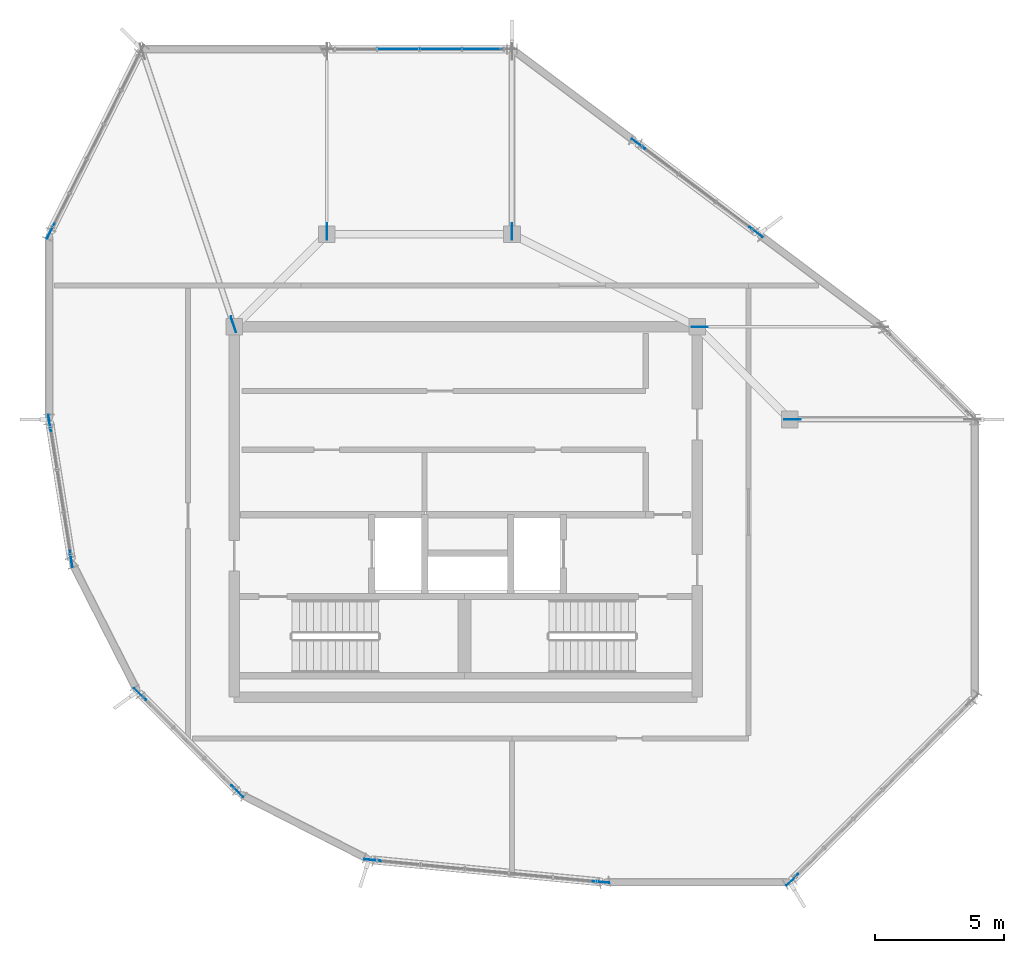
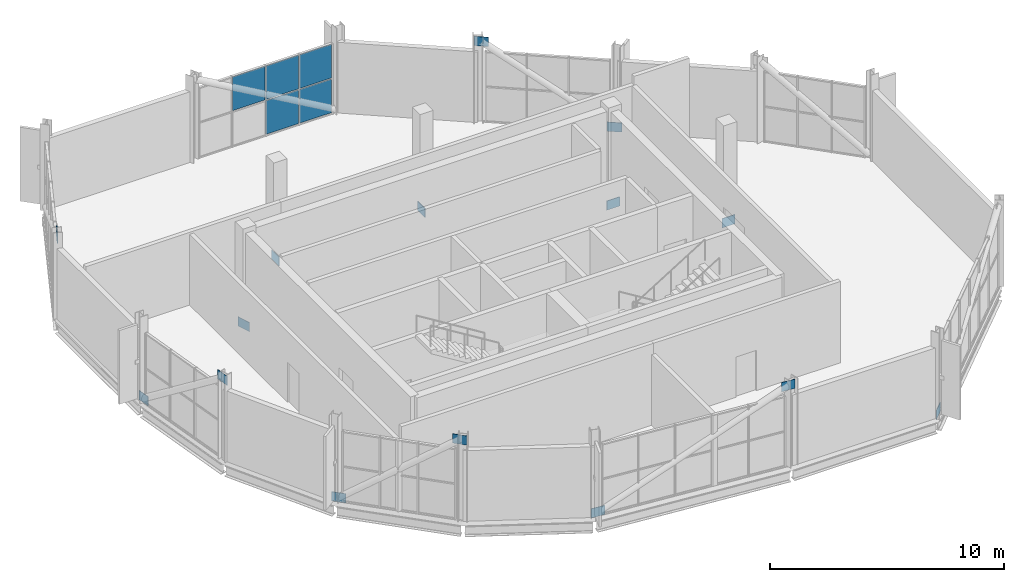
# One storey, part 17 of 22: 20 plates, 1 element without a shape of its own.
"""IFC4 building model written with IfcOpenShell, lengths in metres."""

from ifc_helpers import new_model, si_unit, direction, frame, origin, origin_2d, place, context, subcontext, project, spatial, rectangle, extrude, material, layer, layer_set, type_object, element, aggregate, save


model = new_model("IFC4")

# Units and contexts
model_context = context("Model", 3, precision=1e-05, world=origin(), true_north=direction((0.0, 1.0)))
body_context = subcontext(model_context, "Body", "Model", "MODEL_VIEW")
ifc_project = project(units=[si_unit("LENGTHUNIT", "METRE"), si_unit("AREAUNIT", "SQUARE_METRE"), si_unit("VOLUMEUNIT", "CUBIC_METRE"), si_unit("PLANEANGLEUNIT", "RADIAN"), si_unit("MASSUNIT", "GRAM", prefix="KILO")], contexts=[model_context])

# Site, building, storey
site_placement = place(None, origin())
site = spatial("IfcSite", under=ifc_project, at=site_placement, CompositionType="ELEMENT")
building_placement = place(site_placement, origin())
building = spatial("IfcBuilding", under=site, at=building_placement, Name="Solnavia Interchange Tower", CompositionType="ELEMENT")
storey_placement = place(building_placement, frame((0.0, 0.0, 308.699951171875)))
storey = spatial("IfcBuildingStorey", under=building, at=storey_placement, Name="C02", CompositionType="ELEMENT", Elevation=308.699951171875)

# Curtain wall, plates
ifc_material_1 = material(Name="Aluminium Alloy 6063-T6", Category="aluminium")
ifc_layer_1 = layer(ifc_material_1, 0.179931640625)
ifc_layer_set_1 = layer_set([ifc_layer_1], Name="Aluminium Alloy 6063-T6")
curtain_wall_type = type_object("IfcCurtainWallType", Name="CurtainWall-Crown-CTW6", PredefinedType="NOTDEFINED", material=ifc_layer_set_1)
curtain_wall_placement = place(storey_placement, origin())
curtain_wall = element("IfcCurtainWall", 1, at=curtain_wall_placement, inside=storey, type_object=curtain_wall_type, Name="CTW-C02-R05 CTW-6 curtain wall", PredefinedType="NOTDEFINED")
ifc_material_2 = material(Name="Double-Glazed Low-E IGU Glass", Category="glass")
ifc_layer_2 = layer(ifc_material_2, 0.030029296875)
ifc_layer_set_2 = layer_set([ifc_layer_2], Name="Double-Glazed Low-E IGU Glass")
plate_type_1 = type_object("IfcPlateType", Name="CW-Panel-Crown-30", PredefinedType="CURTAIN_PANEL", material=ifc_layer_set_2)
plate_1_placement = place(storey_placement, frame((24.068603515625, 36.0, 0.06005859375), z_axis=(0.0, 0.0, 1.0), x_axis=(-1.0, 0.0, 0.0)))
plate_1 = element("IfcPlate", 2, at=plate_1_placement, type_object=plate_type_1, Name="CTW-6 panel 1.1", PredefinedType="CURTAIN_PANEL", context=body_context, shape_type="SweptSolid", body=[
    extrude(rectangle(XDim=1.565673828125, YDim=0.030029296875, at=origin_2d()), origin(), (0.0, 0.0, 1.0), 1.75),
])
plate_2_placement = place(storey_placement, frame((24.068603515625, 36.0, 1.8701171875), z_axis=(0.0, 0.0, 1.0), x_axis=(-1.0, 0.0, 0.0)))
plate_2 = element("IfcPlate", 3, at=plate_2_placement, type_object=plate_type_1, Name="CTW-6 panel 1.2", PredefinedType="CURTAIN_PANEL", context=body_context, shape_type="SweptSolid", body=[
    extrude(rectangle(XDim=1.565673828125, YDim=0.030029296875, at=origin_2d()), origin(), (0.0, 0.0, 1.0), 1.75),
])
plate_3_placement = place(storey_placement, frame((22.427978515625, 36.0, 0.06005859375), z_axis=(0.0, 0.0, 1.0), x_axis=(-1.0, 0.0, 0.0)))
plate_3 = element("IfcPlate", 4, at=plate_3_placement, type_object=plate_type_1, Name="CTW-6 panel 2.1", PredefinedType="CURTAIN_PANEL", context=body_context, shape_type="SweptSolid", body=[
    extrude(rectangle(XDim=1.595703125, YDim=0.030029296875, at=origin_2d()), origin(), (0.0, 0.0, 1.0), 1.75),
])
plate_4_placement = place(storey_placement, frame((22.427978515625, 36.0, 1.8701171875), z_axis=(0.0, 0.0, 1.0), x_axis=(-1.0, 0.0, 0.0)))
plate_4 = element("IfcPlate", 5, at=plate_4_placement, type_object=plate_type_1, Name="CTW-6 panel 2.2", PredefinedType="CURTAIN_PANEL", context=body_context, shape_type="SweptSolid", body=[
    extrude(rectangle(XDim=1.595703125, YDim=0.030029296875, at=origin_2d()), origin(), (0.0, 0.0, 1.0), 1.75),
])
plate_5_placement = place(storey_placement, frame((20.772216796875, 36.0, 1.8701171875), z_axis=(0.0, 0.0, 1.0), x_axis=(-1.0, 0.0, 0.0)))
plate_5 = element("IfcPlate", 6, at=plate_5_placement, type_object=plate_type_1, Name="CTW-6 panel 3.2", PredefinedType="CURTAIN_PANEL", context=body_context, shape_type="SweptSolid", body=[
    extrude(rectangle(XDim=1.595703125, YDim=0.030029296875, at=origin_2d()), origin(), (0.0, 0.0, 1.0), 1.75),
])
aggregate(curtain_wall, [plate_1, plate_2, plate_3, plate_4, plate_5])

# Plates
ifc_material_3 = material(Name="Steel S460", Category="steel")
ifc_layer_3 = layer(ifc_material_3, 0.02490234375)
ifc_layer_set_3 = layer_set([ifc_layer_3], Name="Steel S460")
plate_type_2 = type_object("IfcPlateType", Name="Plate-Gusset-640x480x25", PredefinedType="USERDEFINED", material=ifc_layer_set_3)
for number, where, z_axis, x_axis, name in (
    (7, (34.68798828125, 28.884033203125, -0.06005859375), (0.0, 0.0, 1.0), (-0.799998928149, 0.600001429133, 0.0), "PLT-C02-GP03 Crown frame node gusset plate"),
    (8, (30.112060546875, 32.31591796875, 3.920166015625), (0.0, 0.0, 1.0), (-0.799998928149, 0.600001429133, 0.0), "PLT-C02-GP04 Crown frame node gusset plate"),
    (9, (7.2626953125, 28.92529296875, 3.920166015625), (0.0, 0.0, 1.0), (-0.447290848419, -0.89438856037, 0.0), "PLT-C02-GP08 Crown frame node gusset plate"),
    (10, (7.221923828125, 21.461669921875, -0.06005859375), (0.0, 0.0, 1.0), (0.15643446504, -0.987688340595, 0.0), "PLT-C02-GP09 Crown frame node gusset plate"),
    (11, (8.05908203125, 16.17626953125, 3.920166015625), (0.0, 0.0, 1.0), (0.15643446504, -0.987688340595, 0.0), "PLT-C02-GP10 Crown frame node gusset plate"),
    (12, (10.737060546875, 10.9208984375, -0.06005859375), (0.0, 0.0, 1.0), (0.707106781187, -0.707106781187, 0.0), "PLT-C02-GP11 Crown frame node gusset plate"),
    (13, (14.52099609375, 7.136962890625, 3.920166015625), (0.0, 0.0, 1.0), (0.707106781187, -0.707106781187, 0.0), "PLT-C02-GP12 Crown frame node gusset plate"),
    (14, (19.77734375, 4.467529296875, -0.06005859375), (0.0, 0.0, 1.0), (0.995412911446, -0.095672021651, 0.0), "PLT-C02-GP13 Crown frame node gusset plate"),
    (15, (28.66064453125, 3.61328125, 3.920166015625), (0.0, 0.0, 1.0), (0.995412911446, -0.095672021651, 0.0), "PLT-C02-GP14 Crown frame node gusset plate"),
    (16, (36.09912109375, 3.698974609375, -0.06005859375), (0.0, 0.0, 1.0), (0.707106781187, 0.707106781187, 0.0), "PLT-C02-GP15 Crown frame node gusset plate"),
    (17, (36.10009765625, 21.60009765625, -1.0400390625), (0.0, 0.0, 1.0), (1.0, 0.0, 0.0), "PLT-C02-GP17 Crown collar gusset plate"),
    (18, (32.5, 25.199951171875, -1.0400390625), (0.0, 0.0, 1.0), (1.0, 0.0, 0.0), "PLT-C02-GP19 Crown collar gusset plate"),
    (19, (25.199951171875, 28.89990234375, -1.0400390625), (0.0, 0.0, 1.0), (0.0, 1.0, 0.0), "PLT-C02-GP21 Crown collar gusset plate"),
    (20, (18.0, 28.89990234375, -1.0400390625), (0.0, 0.0, 1.0), (0.0, 1.0, 0.0), "PLT-C02-GP23 Crown collar gusset plate"),
    (21, (14.368408203125, 25.294921875, -1.0400390625), (0.0, 0.0, 1.0), (-0.316145823974, 0.948710608133, 0.0), "PLT-C02-GP25 Crown collar gusset plate"),
):
    element("IfcPlate", number, at=place(storey_placement, frame(where, z_axis=z_axis, x_axis=x_axis)), inside=storey, type_object=plate_type_2, Name=name, ObjectType="GUSSET PLATE", PredefinedType="USERDEFINED", context=body_context, shape_type="SweptSolid", body=[
        extrude(rectangle(XDim=0.639892578125, YDim=0.02490234375, at=origin_2d()), origin(), (0.0, 0.0, 1.0), 0.47998046875),
    ])

save(model, "model.ifc")
